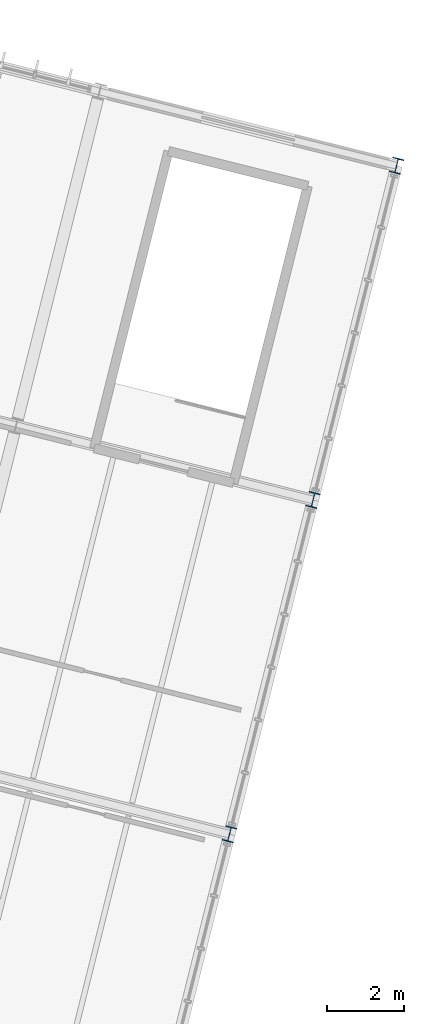
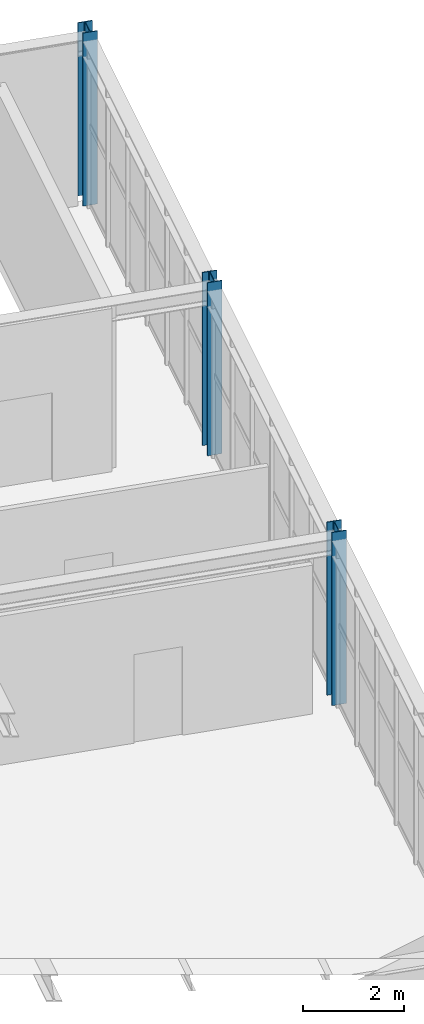
# One storey, part 4 of 30: 3 columns.
"""IFC4 building model written with IfcOpenShell, lengths in metres."""

from ifc_helpers import new_model, si_unit, derived_unit, direction, frame, origin, origin_2d, place, context, subcontext, project, spatial, i_section, extrude, material, material_profile, profile_set, type_object, element, save


model = new_model("IFC4")

# Units and contexts
model_context = context("Model", 3, precision=1e-05, world=origin(), true_north=direction((0.0, 1.0)))
body_context = subcontext(model_context, "Body", "Model", "MODEL_VIEW")
ifc_project = project(units=[si_unit("LENGTHUNIT", "METRE"), si_unit("AREAUNIT", "SQUARE_METRE"), si_unit("VOLUMEUNIT", "CUBIC_METRE"), si_unit("PLANEANGLEUNIT", "RADIAN"), si_unit("MASSUNIT", "GRAM", prefix="KILO"), si_unit("THERMODYNAMICTEMPERATUREUNIT", "KELVIN"), si_unit("TIMEUNIT", "SECOND"), derived_unit("THERMALTRANSMITTANCEUNIT", [(si_unit("MASSUNIT", "GRAM", prefix="KILO"), 1), (si_unit("THERMODYNAMICTEMPERATUREUNIT", "KELVIN"), -1), (si_unit("TIMEUNIT", "SECOND"), -3)])], contexts=[model_context])

# Site, building, storey
site_placement = place(None, origin())
site = spatial("IfcSite", under=ifc_project, at=site_placement, CompositionType="ELEMENT")
building_placement = place(site_placement, origin())
building = spatial("IfcBuilding", under=site, at=building_placement, Name="Cambertide Market Hall", CompositionType="ELEMENT")
storey_placement = place(building_placement, frame((0.0, 0.0, 14.10009765625)))
storey = spatial("IfcBuildingStorey", under=building, at=storey_placement, Name="L04", CompositionType="ELEMENT", Elevation=14.10009765625)

# Columns
ifc_material = material(Name="Steel S355", Category="steel")
ifc_material_profile = material_profile(ifc_material, i_section(OverallWidth=0.300048828125, OverallDepth=0.389892578125, WebThickness=0.010986328125, FlangeThickness=0.01904296875, FilletRadius=0.027099609375, at=origin_2d()), Name="HEA 400")
ifc_profile_set = profile_set([ifc_material_profile], Name="Steel S355")
column_type = type_object("IfcColumnType", Name="Exterior Steel Column HEA 400", PredefinedType="COLUMN", material=ifc_profile_set)
for number, where, z_axis, x_axis, name in (
    (1, (172.27197265625, 93.208984375, 0.0), (0.0, 0.0, 1.0), (0.970142500145, -0.242535625038, 0.0), "Level 4 Column COL-V4-9-2-L04"),
    (2, (174.454833984375, 101.940185546875, 0.0), (0.0, 0.0, 1.0), (0.970142500145, -0.242535625038, 0.0), "Level 4 Column COL-V4-9-3-L04"),
    (3, (176.6376953125, 110.671630859375, 0.0), (0.0, 0.0, 1.0), (0.970142500145, -0.242535625038, 0.0), "Level 4 Column COL-V4-9-4-L04"),
):
    element("IfcColumn", number, at=place(storey_placement, frame(where, z_axis=z_axis, x_axis=x_axis)), inside=storey, type_object=column_type, Name=name, PredefinedType="COLUMN", context=body_context, shape_type="SweptSolid", body=[
        extrude(i_section(OverallWidth=0.300048828125, OverallDepth=0.389892578125, WebThickness=0.010986328125, FlangeThickness=0.01904296875, FilletRadius=0.027099609375, at=origin_2d()), origin(), (0.0, 0.0, 1.0), 4.199951171875),
    ])

save(model, "model.ifc")
